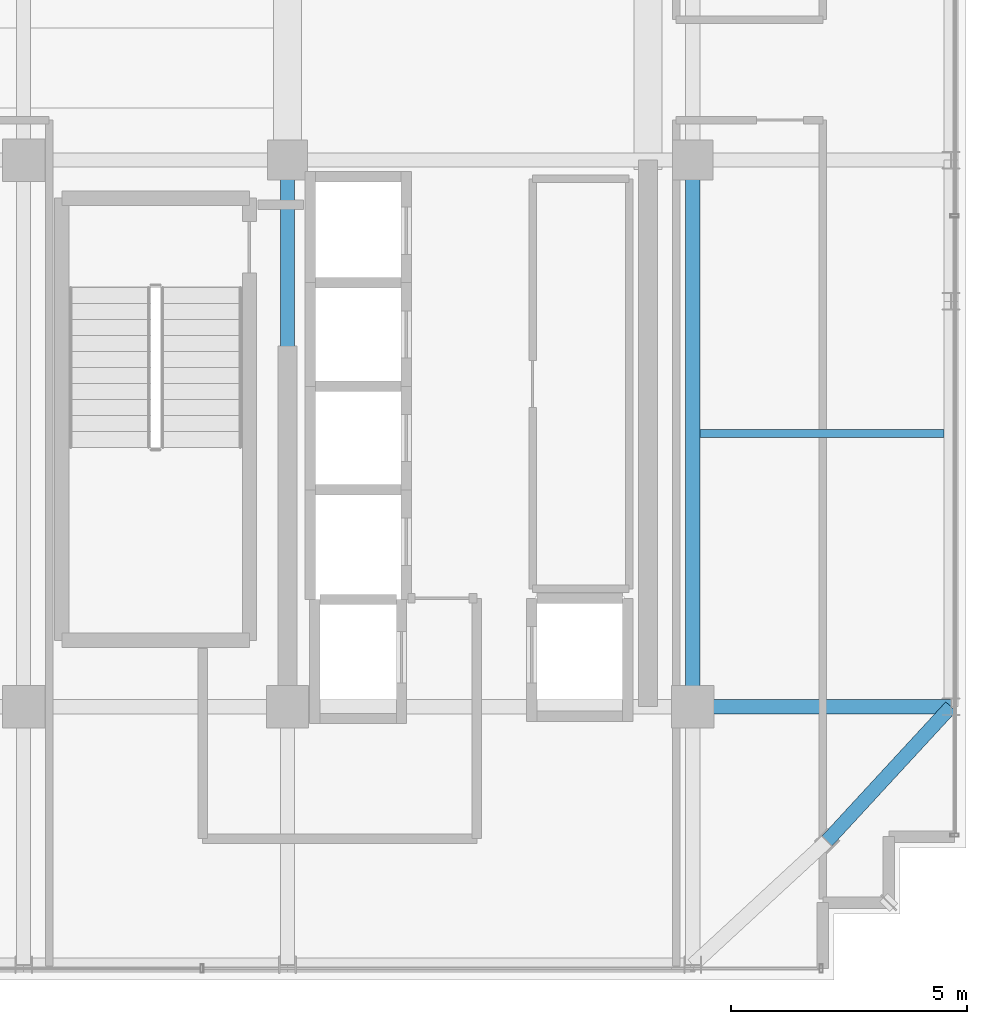
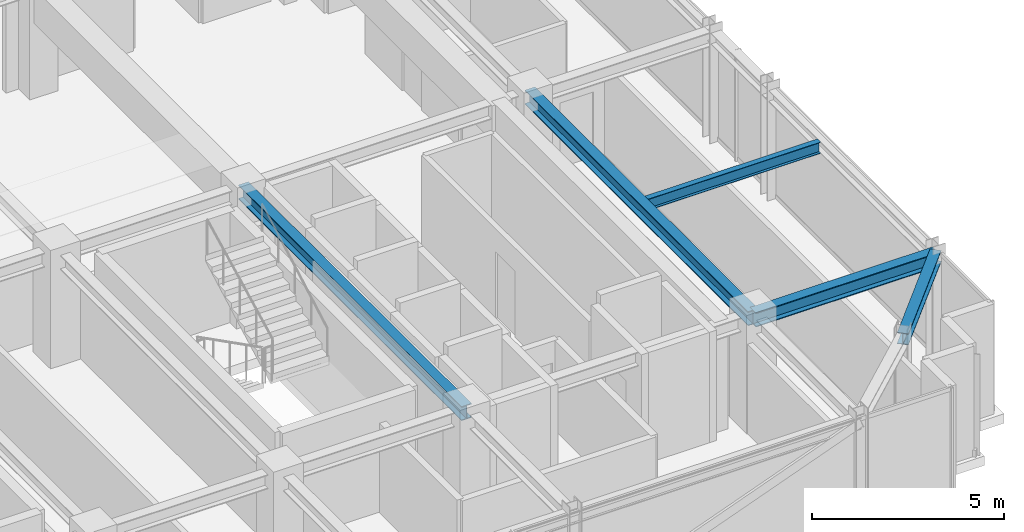
# One storey, part 13 of 36: 5 beams.
"""IFC4 building model written with IfcOpenShell, lengths in metres."""

import ifcopenshell
import ifcopenshell.guid

model = None  # the IFC model being written
_history = None  # IfcOwnerHistory: only IFC2X3 demands one
_inside = {}  # id of a spatial element -> (the spatial element, [elements in it])
_under = {}  # id of a project, library or spatial element -> (it, [spatial elements below it])
_declared = {}  # id of a project -> (the project, [libraries it declares])
_typed = {}  # id of a type object -> (the type object, [elements of that type])
_made_of = {}  # id of a material, layer set ... -> (it, [elements and type objects made of it])


def new_model(schema):
    """Start an empty IFC model of exactly this schema.

    Asked for "IFC4X3", IfcOpenShell would pick the latest addendum, in which some entities
    have other attributes; the version numbers below select the first issue.
    IFC2X3 requires an IfcOwnerHistory on every rooted entity: one is made here for all.
    """
    global model, _history
    if schema == "IFC4X3":
        model = ifcopenshell.file(schema_version=(4, 3, 0, 0))
    else:
        model = ifcopenshell.file(schema=schema)
    _inside.clear()
    _under.clear()
    _declared.clear()
    _typed.clear()
    _made_of.clear()
    _history = None
    if model.schema == "IFC2X3":
        org = make("IfcOrganization", Name="unknown")
        user = make(
            "IfcPersonAndOrganization",
            ThePerson=make("IfcPerson", FamilyName="unknown"),
            TheOrganization=org,
        )
        app = make(
            "IfcApplication",
            ApplicationDeveloper=org,
            Version="unknown",
            ApplicationFullName="unknown",
            ApplicationIdentifier="unknown",
        )
        _history = make(
            "IfcOwnerHistory",
            OwningUser=user,
            OwningApplication=app,
            ChangeAction="ADDED",
            CreationDate=0,
        )
    return model


def make(cls, **values):
    """One entity of the class cls with the attributes given. An attribute that is None is left unset."""
    return model.create_entity(
        cls, **{name: value for name, value in values.items() if value is not None}
    )


def rooted(cls, **values):
    """An entity with a GlobalId (a new one), such as an element, a storey or a relation."""
    return make(cls, GlobalId=ifcopenshell.guid.new(), OwnerHistory=_history, **values)


def si_unit(unit_type, name, prefix=None):
    """IfcSIUnit, for example si_unit("LENGTHUNIT", "METRE", prefix="MILLI")."""
    return make("IfcSIUnit", UnitType=unit_type, Prefix=prefix, Name=name)


def assignment(units):
    """IfcUnitAssignment: the units of a project."""
    return None if units is None else make("IfcUnitAssignment", Units=units)


def point(xyz):
    """IfcCartesianPoint."""
    return None if xyz is None else make("IfcCartesianPoint", Coordinates=xyz)


def direction(xyz):
    """IfcDirection."""
    return None if xyz is None else make("IfcDirection", DirectionRatios=xyz)


def frame(location, z_axis=None, x_axis=None):
    """IfcAxis2Placement3D, a coordinate frame: its origin and axes. An axis left out is left unset."""
    return make(
        "IfcAxis2Placement3D",
        Location=point(location),
        Axis=direction(z_axis),
        RefDirection=direction(x_axis),
    )


def frame_2d(location, x_axis=None):
    """IfcAxis2Placement2D, a coordinate frame in the plane: its origin and x axis."""
    return make(
        "IfcAxis2Placement2D", Location=point(location), RefDirection=direction(x_axis)
    )


def origin():
    """The frame at (0, 0, 0) with its axes left unset."""
    return frame((0.0, 0.0, 0.0))


def origin_2d():
    """The frame at (0, 0) in the plane with its x axis left unset."""
    return frame_2d((0.0, 0.0))


def place(relative_to, where):
    """IfcLocalPlacement: puts the frame where relative to a parent placement (None: the world)."""
    return make(
        "IfcLocalPlacement", PlacementRelTo=relative_to, RelativePlacement=where
    )


def context(
    kind, dimensions, precision=None, world=None, true_north=None, identifier=None
):
    """IfcGeometricRepresentationContext, for example the 3D "Model" context."""
    return make(
        "IfcGeometricRepresentationContext",
        ContextIdentifier=identifier,
        ContextType=kind,
        CoordinateSpaceDimension=dimensions,
        Precision=precision,
        WorldCoordinateSystem=world,
        TrueNorth=true_north,
    )


def subcontext(parent, identifier, kind, view, scale=None):
    """IfcGeometricRepresentationSubContext, for example "Body" below "Model"."""
    return make(
        "IfcGeometricRepresentationSubContext",
        ContextIdentifier=identifier,
        ContextType=kind,
        ParentContext=parent,
        TargetScale=scale,
        TargetView=view,
    )


def project(units=None, contexts=None):
    """IfcProject with its units and contexts."""
    return rooted(
        "IfcProject",
        Name="project",
        RepresentationContexts=contexts,
        UnitsInContext=assignment(units),
    )


def spatial(cls, under=None, at=None, **own):
    """A site, building, storey or space (cls), placed at a placement, below another one or the project."""
    s = rooted(cls, ObjectPlacement=at, **own)
    if under is not None:
        _under.setdefault(under.id(), (under, []))[1].append(s)
    return s


def profile(cls, at=None, kind="AREA", **sizes):
    """A parametric profile (cls). Its sizes go by their IFC names, for example OverallWidth=200.0."""
    return make(cls, ProfileType=kind, Position=at, **sizes)


def i_section(**sizes):
    """IfcIShapeProfileDef."""
    return profile("IfcIShapeProfileDef", **sizes)


def extrude(swept, where, along, depth):
    """IfcExtrudedAreaSolid: the profile swept, set in the frame where, extruded along a direction by depth."""
    return make(
        "IfcExtrudedAreaSolid",
        SweptArea=swept,
        Position=where,
        ExtrudedDirection=direction(along),
        Depth=depth,
    )


def shape(context_of_items, identifier, shape_type, items):
    """IfcShapeRepresentation: the items that make up one representation, for example the "Body"."""
    return make(
        "IfcShapeRepresentation",
        ContextOfItems=context_of_items,
        RepresentationIdentifier=identifier,
        RepresentationType=shape_type,
        Items=items,
    )


def source(mapping_origin, context_of_items, identifier, shape_type, items):
    """IfcRepresentationMap: a shape defined once, which mapped items show again and again."""
    return make(
        "IfcRepresentationMap",
        MappingOrigin=mapping_origin,
        MappedRepresentation=shape(context_of_items, identifier, shape_type, items),
    )


def transform(
    local_origin,
    x_axis=None,
    y_axis=None,
    z_axis=None,
    scale=None,
    scale2=None,
    scale3=None,
    uniform=True,
):
    """IfcCartesianTransformationOperator3D, or its non-uniform kind. x_axis, y_axis, z_axis: its Axis1, 2, 3."""
    if uniform:
        return make(
            "IfcCartesianTransformationOperator3D",
            Axis1=direction(x_axis),
            Axis2=direction(y_axis),
            LocalOrigin=point(local_origin),
            Scale=scale,
            Axis3=direction(z_axis),
        )
    return make(
        "IfcCartesianTransformationOperator3DnonUniform",
        Axis1=direction(x_axis),
        Axis2=direction(y_axis),
        LocalOrigin=point(local_origin),
        Scale=scale,
        Axis3=direction(z_axis),
        Scale2=scale2,
        Scale3=scale3,
    )


def mapped(mapping_source, mapping_target):
    """IfcMappedItem: shows the shape of a source again, moved by a transform."""
    return make(
        "IfcMappedItem", MappingSource=mapping_source, MappingTarget=mapping_target
    )


def material(Name=None, Category=None):
    """IfcMaterial."""
    return make("IfcMaterial", Name=Name, Category=Category)


def material_profile(
    of_material, cross_section, Name=None, Category=None, Priority=None
):
    """IfcMaterialProfile: a cross section and its material."""
    return make(
        "IfcMaterialProfile",
        Name=Name,
        Material=of_material,
        Profile=cross_section,
        Priority=Priority,
        Category=Category,
    )


def profile_set(profiles, Name=None, composite=None):
    """IfcMaterialProfileSet."""
    return make(
        "IfcMaterialProfileSet",
        Name=Name,
        MaterialProfiles=profiles,
        CompositeProfile=composite,
    )


def made_of(thing, what):
    """Note that an element or type object is made of a material, layer set ...; save() writes the relation."""
    if what is not None:
        _made_of.setdefault(what.id(), (what, []))[1].append(thing)
    return thing


def type_object(cls, material=None, **own):
    """A type object (cls), such as IfcWallType, which elements share."""
    return made_of(rooted(cls, **own), material)


def element(
    cls,
    number,
    at=None,
    inside=None,
    cuts=None,
    type_object=None,
    material=None,
    context=None,
    identifier="Body",
    shape_type=None,
    held_by="IfcProductDefinitionShape",
    body=None,
    shapes=None,
    **own,
):
    """One element of the class cls, such as IfcWall. Its Tag is "e" and its number.

    at: its placement. inside: the storey or other place that contains it. cuts: it is an
    opening in that element (IfcRelVoidsElement). A single representation is given by context,
    identifier, shape_type and body (its items); several are given by shapes. held_by: the class
    of the entity that holds the representations. save() writes the other relations.
    """
    e = rooted(cls, Tag="e%d" % number, ObjectPlacement=at, **own)
    if body is not None:
        shapes = [shape(context, identifier, shape_type, body)]
    if shapes is not None:
        e.Representation = make(held_by, Representations=shapes)
    if inside is not None:
        _inside.setdefault(inside.id(), (inside, []))[1].append(e)
    if cuts is not None:
        rooted(
            "IfcRelVoidsElement", RelatingBuildingElement=cuts, RelatedOpeningElement=e
        )
    if type_object is not None:
        _typed.setdefault(type_object.id(), (type_object, []))[1].append(e)
    return made_of(e, material)


def aggregate(whole, parts):
    """IfcRelAggregates: a whole, such as a stair, and the parts it consists of."""
    return rooted("IfcRelAggregates", RelatingObject=whole, RelatedObjects=parts)


def save(model, path):
    """Write the relations noted so far, then the file.

    IfcRelAggregates (storeys below a building ...), IfcRelContainedInSpatialStructure (elements
    in a storey), IfcRelDefinesByType, IfcRelAssociatesMaterial and IfcRelDeclares: one each for
    every whole, place, type object, material and project.
    """
    for whole, parts in _under.values():
        aggregate(whole, parts)
    for where, things in _inside.values():
        rooted(
            "IfcRelContainedInSpatialStructure",
            RelatedElements=things,
            RelatingStructure=where,
        )
    for kind, things in _typed.values():
        rooted("IfcRelDefinesByType", RelatedObjects=things, RelatingType=kind)
    for what, things in _made_of.values():
        rooted("IfcRelAssociatesMaterial", RelatedObjects=things, RelatingMaterial=what)
    for by, libraries in _declared.values():
        rooted("IfcRelDeclares", RelatingContext=by, RelatedDefinitions=libraries)
    model.write(path)


model = new_model("IFC4")

# Units and contexts
model_context = context("Model", 3, precision=1e-05, world=origin(), true_north=direction((0.0, 1.0)))
body_context = subcontext(model_context, "Body", "Model", "MODEL_VIEW")
ifc_project = project(units=[si_unit("LENGTHUNIT", "METRE"), si_unit("AREAUNIT", "SQUARE_METRE"), si_unit("VOLUMEUNIT", "CUBIC_METRE"), si_unit("PLANEANGLEUNIT", "RADIAN"), si_unit("MASSUNIT", "GRAM", prefix="KILO")], contexts=[model_context])

# Site, building, storey
site_placement = place(None, origin())
site = spatial("IfcSite", under=ifc_project, at=site_placement, CompositionType="ELEMENT")
building_placement = place(site_placement, origin())
building = spatial("IfcBuilding", under=site, at=building_placement, Name="Nahalor Promenade Grand Hotel", CompositionType="ELEMENT")
storey_placement = place(building_placement, frame((0.0, 0.0, 319.550048828125)))
storey = spatial("IfcBuildingStorey", under=building, at=storey_placement, Name="L82", CompositionType="ELEMENT", Elevation=319.550048828125)

# Beams
ifc_material = material(Name="Steel S355JR", Category="steel")
ifc_material_profile_1 = material_profile(ifc_material, i_section(OverallWidth=0.3, OverallDepth=0.45, WebThickness=0.014, FlangeThickness=0.026, at=origin_2d()), Name="HEB 450")
ifc_profile_set_1 = profile_set([ifc_material_profile_1], Name="Steel S355JR")
beam_type_1 = type_object("IfcBeamType", Name="Beam-Girder-HEB450", PredefinedType="BEAM", material=ifc_profile_set_1)
shared_shape_1 = source(origin(), body_context, "Body", "SweptSolid", [
    extrude(i_section(OverallWidth=0.3, OverallDepth=0.45, WebThickness=0.014, FlangeThickness=0.026, at=origin_2d()), origin(), (0.0, 0.0, 1.0), 11.60009765625),
])
for number, where, z_axis, x_axis, name in (
    (1, (8.39990234375, -17.0, 3.27490234375), (0.0, 1.0, 0.0), (-1.0, 0.0, 0.0), "BM-L82-GY-4-1"),
    (2, (17.0, -17.0, 3.27490234375), (0.0, 1.0, 0.0), (-1.0, 0.0, 0.0), "BM-L82-GY-5-1"),
):
    element("IfcBeam", number, at=place(storey_placement, frame(where, z_axis=z_axis, x_axis=x_axis)), inside=storey, type_object=beam_type_1, Name=name, PredefinedType="BEAM", context=body_context, shape_type="MappedRepresentation", body=[
        mapped(shared_shape_1, transform((0.0, 0.0, 0.0), scale=1.0)),
    ])
shared_shape_2 = source(origin(), body_context, "Body", "SweptSolid", [
    extrude(i_section(OverallWidth=0.3, OverallDepth=0.45, WebThickness=0.014, FlangeThickness=0.026, at=origin_2d()), origin(), (0.0, 0.0, 1.0), 5.47998046875),
])
beam_1_placement = place(storey_placement, frame((17.0, -17.0, 3.27490234375), z_axis=(1.0, 0.0, 0.0), x_axis=(0.0, 1.0, 0.0)))
element("IfcBeam", 3, at=beam_1_placement, inside=storey, type_object=beam_type_1, Name="BM-L82-GX-0-6", PredefinedType="BEAM", context=body_context, shape_type="MappedRepresentation", body=[
    mapped(shared_shape_2, transform((0.0, 0.0, 0.0), scale=1.0)),
])
ifc_material_profile_2 = material_profile(ifc_material, i_section(OverallWidth=0.3, OverallDepth=0.36, WebThickness=0.0125, FlangeThickness=0.0225, at=origin_2d()), Name="HEB 360")
ifc_profile_set_2 = profile_set([ifc_material_profile_2], Name="Steel S355JR")
beam_type_2 = type_object("IfcBeamType", Name="Beam-Spandrel-HEB360", PredefinedType="SPANDREL", material=ifc_profile_set_2)
shared_shape_3 = source(origin(), body_context, "Body", "SweptSolid", [
    extrude(i_section(OverallWidth=0.3, OverallDepth=0.36, WebThickness=0.0125, FlangeThickness=0.0225, at=origin_2d()), origin(), (0.0, 0.0, 1.0), 3.878173828125),
])
beam_2_placement = place(storey_placement, frame((19.85009765625, -19.85009765625, 3.320068359375), z_axis=(0.678144125843, 0.73492893846, 0.0), x_axis=(-0.73492893846, 0.678144125843, 0.0)))
element("IfcBeam", 4, at=beam_2_placement, inside=storey, type_object=beam_type_2, Name="BM-L82-SPC-SE-2", PredefinedType="SPANDREL", context=body_context, shape_type="MappedRepresentation", body=[
    mapped(shared_shape_3, transform((0.0, 0.0, 0.0), scale=1.0)),
])
ifc_material_profile_3 = material_profile(ifc_material, i_section(OverallWidth=0.17, OverallDepth=0.36, WebThickness=0.008, FlangeThickness=0.0127, at=origin_2d()), Name="IPE 360")
ifc_profile_set_3 = profile_set([ifc_material_profile_3], Name="Steel S355JR")
beam_type_3 = type_object("IfcBeamType", Name="Beam-Joist-IPE360", PredefinedType="JOIST", material=ifc_profile_set_3)
shared_shape_4 = source(origin(), body_context, "Body", "SweptSolid", [
    extrude(i_section(OverallWidth=0.17, OverallDepth=0.36, WebThickness=0.008, FlangeThickness=0.0127, at=origin_2d()), origin(), (0.0, 0.0, 1.0), 5.18017578125),
])
beam_3_placement = place(storey_placement, frame((17.14990234375, -11.199951171875, 3.320068359375), z_axis=(1.0, 0.0, 0.0), x_axis=(0.0, 1.0, 0.0)))
element("IfcBeam", 5, at=beam_3_placement, inside=storey, type_object=beam_type_3, Name="BM-L82-JSE-0-2", PredefinedType="JOIST", context=body_context, shape_type="MappedRepresentation", body=[
    mapped(shared_shape_4, transform((0.0, 0.0, 0.0), scale=1.0)),
])

save(model, "model.ifc")
